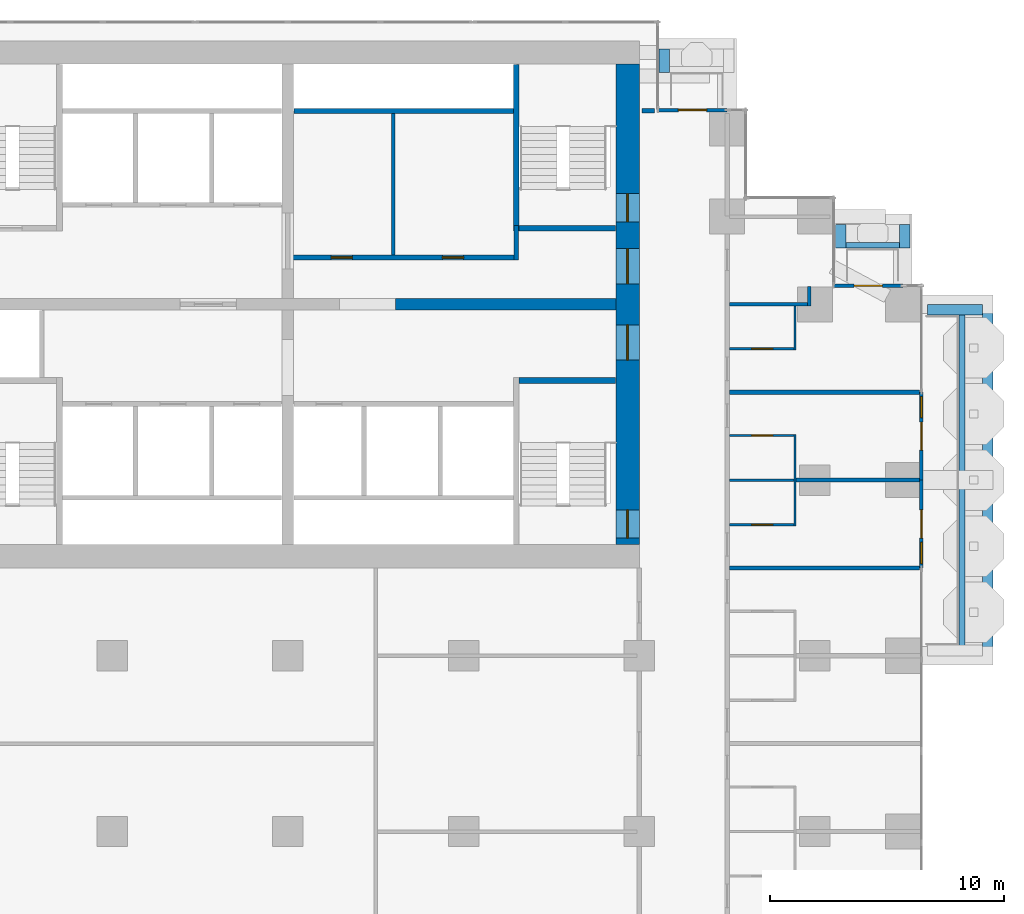
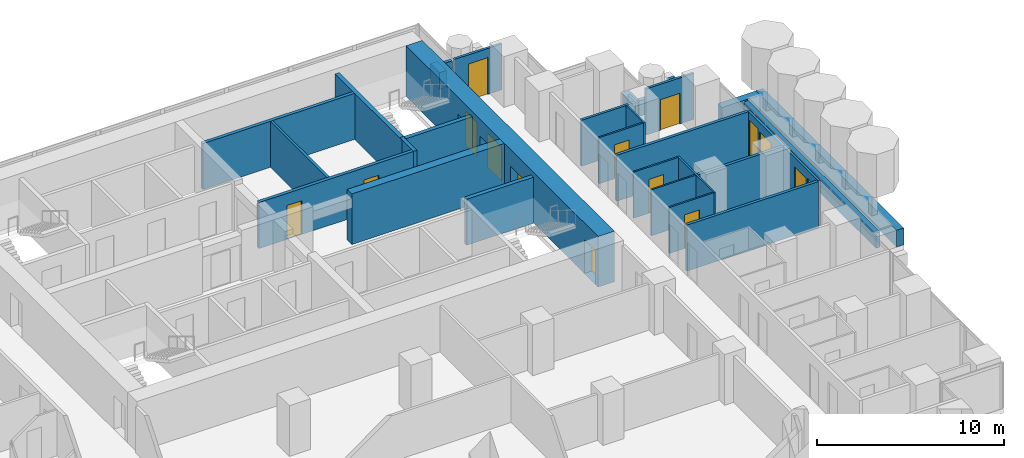
# One storey, part 15 of 19: 32 walls, 13 doors, 2 windows, 15 openings.
"""IFC4 building model written with IfcOpenShell, lengths in metres."""

from ifc_helpers import new_model, si_unit, direction, frame, frame_2d, origin, place, context, subcontext, project, spatial, rectangle, extrude, material, layer, layer_set, type_object, element, fill, save


model = new_model("IFC4")

# Units and contexts
model_context = context("Model", 3, precision=1e-05, world=origin(), true_north=direction((0.0, 1.0)))
body_context = subcontext(model_context, "Body", "Model", "MODEL_VIEW")
ifc_project = project(units=[si_unit("LENGTHUNIT", "METRE"), si_unit("AREAUNIT", "SQUARE_METRE"), si_unit("VOLUMEUNIT", "CUBIC_METRE"), si_unit("PLANEANGLEUNIT", "RADIAN"), si_unit("MASSUNIT", "GRAM", prefix="KILO")], contexts=[model_context])

# Site, building, storey
site_placement = place(None, origin())
site = spatial("IfcSite", under=ifc_project, at=site_placement, CompositionType="ELEMENT")
building_placement = place(site_placement, origin())
building = spatial("IfcBuilding", under=site, at=building_placement, Name="Pilkhan Gate Tower", CompositionType="ELEMENT")
storey_placement = place(building_placement, frame((0.0, 0.0, 59.300048828125)))
storey = spatial("IfcBuildingStorey", under=building, at=storey_placement, Name="L12", CompositionType="ELEMENT", Elevation=59.300048828125)

# Walls
ifc_material_1 = material(Name="Dense blockwork", Category="masonry")
ifc_layer_1 = layer(ifc_material_1, 0.175048828125)
ifc_layer_set_1 = layer_set([ifc_layer_1], Name="Acoustic party wall PW175")
wall_type_1 = type_object("IfcWallType", Name="Acoustic party wall PW175", PredefinedType="PARTITIONING", material=ifc_layer_set_1)
wall_1_placement = place(storey_placement, frame((93.85009765625, 71.25, 0.0), z_axis=(0.0, 0.0, 1.0), x_axis=(1.0, 0.0, 0.0)))
element("IfcWall", 1, at=wall_1_placement, inside=storey, type_object=wall_type_1, Name="Partition L12", PredefinedType="PARTITIONING", context=body_context, shape_type="SweptSolid", body=[
    extrude(rectangle(XDim=8.10986328125, YDim=0.175048828125, at=frame_2d((4.054931640625, 0.0))), origin(), (0.0, 0.0, 1.0), 3.0),
])
wall_2_placement = place(storey_placement, frame((96.699951171875, 75.0, 0.0), z_axis=(0.0, 0.0, 1.0), x_axis=(1.0, 0.0, 0.0)))
element("IfcWall", 2, at=wall_2_placement, inside=storey, type_object=wall_type_1, Name="Partition L12", PredefinedType="PARTITIONING", context=body_context, shape_type="SweptSolid", body=[
    extrude(rectangle(XDim=5.260009765625, YDim=0.175048828125, at=frame_2d((2.6298828125, 0.0))), origin(), (0.0, 0.0, 1.0), 3.0),
])
wall_3_placement = place(storey_placement, frame((93.85009765625, 78.75, 0.0), z_axis=(0.0, 0.0, 1.0), x_axis=(1.0, 0.0, 0.0)))
element("IfcWall", 3, at=wall_3_placement, inside=storey, type_object=wall_type_1, Name="Partition L12", PredefinedType="PARTITIONING", context=body_context, shape_type="SweptSolid", body=[
    extrude(rectangle(XDim=8.10986328125, YDim=0.175048828125, at=frame_2d((4.054931640625, 0.0))), origin(), (0.0, 0.0, 1.0), 3.0),
])
ifc_material_2 = material(Name="Concrete C40/50", Category="concrete")
ifc_layer_2 = layer(ifc_material_2, 0.25)
ifc_layer_set_2 = layer_set([ifc_layer_2], Name="Balcony planter BP250")
wall_type_2 = type_object("IfcWallType", Name="Balcony planter BP250", PredefinedType="USERDEFINED", material=ifc_layer_set_2)
wall_4_placement = place(storey_placement, frame((103.77490234375, 67.949951171875, 0.0), z_axis=(0.0, 0.0, 1.0), x_axis=(0.0, 1.0, 0.0)))
element("IfcWall", 4, at=wall_4_placement, inside=storey, type_object=wall_type_2, Name="Balcony planter L12 E", ObjectType="BALCONY PLANTER", PredefinedType="USERDEFINED", context=body_context, shape_type="SweptSolid", body=[
    extrude(rectangle(XDim=14.10009765625, YDim=0.25, at=frame_2d((7.050048828125, 0.0))), origin(), (0.0, 0.0, 1.0), 1.0),
])
wall_5_placement = place(storey_placement, frame((98.820068359375, 85.02490234375, 0.0), z_axis=(0.0, 0.0, 1.0), x_axis=(1.0, 0.0, 0.0)))
element("IfcWall", 5, at=wall_5_placement, inside=storey, type_object=wall_type_2, Name="Balcony planter L12 N", ObjectType="BALCONY PLANTER", PredefinedType="USERDEFINED", context=body_context, shape_type="SweptSolid", body=[
    extrude(rectangle(XDim=2.280029296875, YDim=0.25, at=frame_2d((1.14013671875, 0.0))), origin(), (0.0, 0.0, 1.0), 1.0),
])
ifc_material_3 = material(Name="Board-marked Concrete C40/50", Category="concrete")
ifc_layer_3 = layer(ifc_material_3, 0.449951171875)
ifc_layer_set_3 = layer_set([ifc_layer_3], Name="Balcony planter lip BL450")
wall_type_3 = type_object("IfcWallType", Name="Balcony planter lip BL450", PredefinedType="USERDEFINED", material=ifc_layer_set_3)
wall_6_placement = place(storey_placement, frame((104.875, 67.5, 0.0), z_axis=(0.0, 0.0, 1.0), x_axis=(0.0, 1.0, 0.0)))
element("IfcWall", 6, at=wall_6_placement, inside=storey, type_object=wall_type_3, Name="Balcony planter L12 E", ObjectType="BALCONY PLANTER", PredefinedType="USERDEFINED", context=body_context, shape_type="SweptSolid", body=[
    extrude(rectangle(XDim=15.0, YDim=0.449951171875, at=frame_2d((7.5, 0.0))), origin(), (0.0, 0.0, 1.0), 1.099853515625),
])
wall_7_placement = place(storey_placement, frame((102.300048828125, 82.27490234375, 0.0), z_axis=(0.0, 0.0, 1.0), x_axis=(1.0, 0.0, 0.0)))
element("IfcWall", 7, at=wall_7_placement, inside=storey, type_object=wall_type_3, Name="Balcony planter L12 E", ObjectType="BALCONY PLANTER", PredefinedType="USERDEFINED", context=body_context, shape_type="SweptSolid", body=[
    extrude(rectangle(XDim=2.349853515625, YDim=0.449951171875, at=frame_2d((1.1748046875, 0.0))), origin(), (0.0, 0.0, 1.0), 1.099853515625),
])
for number, where, z_axis, x_axis, name in (
    (8, (91.074951171875, 92.39990234375, 0.0), (0.0, 0.0, 1.0), (0.0, 1.0, 0.0), "Balcony planter L12 N"),
    (9, (98.594970703125, 84.89990234375, 0.0), (0.0, 0.0, 1.0), (0.0, 1.0, 0.0), "Balcony planter L12 N"),
    (10, (101.324951171875, 84.89990234375, 0.0), (0.0, 0.0, 1.0), (0.0, 1.0, 0.0), "Balcony planter L12 N"),
):
    element("IfcWall", number, at=place(storey_placement, frame(where, z_axis=z_axis, x_axis=x_axis)), inside=storey, type_object=wall_type_3, Name=name, ObjectType="BALCONY PLANTER", PredefinedType="USERDEFINED", context=body_context, shape_type="SweptSolid", body=[
        extrude(rectangle(XDim=1.0, YDim=0.449951171875, at=frame_2d((0.5, 0.0))), origin(), (0.0, 0.0, 1.0), 1.099853515625),
    ])

# Wall, openings, doors
ifc_material_4 = material(Name="Concrete C70/85", Category="concrete")
ifc_layer_4 = layer(ifc_material_4, 1.0)
ifc_layer_set_4 = layer_set([ifc_layer_4], Name="Core wall CW1000 C70/85")
wall_type_4 = type_object("IfcWallType", Name="Core wall CW1000 C70/85", PredefinedType="SHEAR", material=ifc_layer_set_4)
wall_8_placement = place(storey_placement, frame((89.5, 72.25, 0.0), z_axis=(0.0, 0.0, 1.0), x_axis=(0.0, 1.0, 0.0)))
wall_8 = element("IfcWall", 11, at=wall_8_placement, inside=storey, type_object=wall_type_4, Name="Core wall E L12", PredefinedType="SHEAR", context=body_context, shape_type="SweptSolid", body=[
    extrude(rectangle(XDim=20.5, YDim=1.0, at=frame_2d((10.25, 0.0))), origin(), (0.0, 0.0, 1.0), 3.300048828125),
])
opening_1_placement = place(wall_8_placement, frame((0.27490234375, 0.0, 0.0)))
opening_1 = element("IfcOpeningElement", 12, at=opening_1_placement, cuts=wall_8, Name="Opening L12-03", PredefinedType="OPENING", context=body_context, shape_type="SweptSolid", body=[
    extrude(rectangle(XDim=1.199951171875, YDim=2.199951171875, at=frame_2d((0.60009765625, 1.10009765625))), frame((0.0, 0.510009765625, 0.0), z_axis=(0.0, -1.0, 0.0), x_axis=(1.0, 0.0, 0.0)), (0.0, 0.0, 1.0), 1.02001953125),
])
opening_2_placement = place(wall_8_placement, frame((13.77490234375, 0.0, 0.0)))
opening_2 = element("IfcOpeningElement", 13, at=opening_2_placement, cuts=wall_8, Name="Opening L12-05", PredefinedType="OPENING", context=body_context, shape_type="SweptSolid", body=[
    extrude(rectangle(XDim=1.199951171875, YDim=2.199951171875, at=frame_2d((0.60009765625, 1.10009765625))), frame((0.0, 0.510009765625, 0.0), z_axis=(0.0, -1.0, 0.0), x_axis=(1.0, 0.0, 0.0)), (0.0, 0.0, 1.0), 1.02001953125),
])
opening_3_placement = place(wall_8_placement, frame((7.875, 0.0, 0.0)))
opening_3 = element("IfcOpeningElement", 14, at=opening_3_placement, cuts=wall_8, Name="Opening L12-44", PredefinedType="OPENING", context=body_context, shape_type="SweptSolid", body=[
    extrude(rectangle(XDim=1.5, YDim=2.199951171875, at=frame_2d((0.75, 1.10009765625))), frame((0.0, 0.510009765625, 0.0), z_axis=(0.0, -1.0, 0.0), x_axis=(1.0, 0.0, 0.0)), (0.0, 0.0, 1.0), 1.02001953125),
])
opening_4_placement = place(wall_8_placement, frame((11.125, 0.0, 0.0)))
opening_4 = element("IfcOpeningElement", 15, at=opening_4_placement, cuts=wall_8, Name="Opening L12-46", PredefinedType="OPENING", context=body_context, shape_type="SweptSolid", body=[
    extrude(rectangle(XDim=1.5, YDim=2.199951171875, at=frame_2d((0.75, 1.10009765625))), frame((0.0, 0.510009765625, 0.0), z_axis=(0.0, -1.0, 0.0), x_axis=(1.0, 0.0, 0.0)), (0.0, 0.0, 1.0), 1.02001953125),
])
ifc_material_5 = material(Name="Steel framed glazed door, 60 minute fire resisting", Category="steel")
door_type_1 = type_object("IfcDoorType", Name="Lobby door D09 1500x2200", OperationType="DOUBLE_DOOR_SINGLE_SWING", PredefinedType="DOOR", material=ifc_material_5)
door_1_placement = place(opening_3_placement, origin())
door_1 = element("IfcDoor", 16, at=door_1_placement, inside=storey, type_object=door_type_1, Name="Core door", OperationType="DOUBLE_DOOR_SINGLE_SWING", OverallHeight=2.199951171875, OverallWidth=1.5, PredefinedType="DOOR", context=body_context, shape_type="SweptSolid", body=[
    extrude(rectangle(XDim=1.5, YDim=2.199951171875, at=frame_2d((0.75, 1.10009765625))), frame((0.0, 0.02490234375, 0.0), z_axis=(0.0, -1.0, 0.0), x_axis=(1.0, 0.0, 0.0)), (0.0, 0.0, 1.0), 0.050048828125),
])
fill(opening_3, door_1)
door_2_placement = place(opening_4_placement, origin())
door_2 = element("IfcDoor", 17, at=door_2_placement, inside=storey, type_object=door_type_1, Name="Core door", OperationType="DOUBLE_DOOR_SINGLE_SWING", OverallHeight=2.199951171875, OverallWidth=1.5, PredefinedType="DOOR", context=body_context, shape_type="SweptSolid", body=[
    extrude(rectangle(XDim=1.5, YDim=2.199951171875, at=frame_2d((0.75, 1.10009765625))), frame((0.0, 0.02490234375, 0.0), z_axis=(0.0, -1.0, 0.0), x_axis=(1.0, 0.0, 0.0)), (0.0, 0.0, 1.0), 0.050048828125),
])
fill(opening_4, door_2)
ifc_material_6 = material(Name="Steel door, 120 minute fire resisting, panic bar", Category="steel")
door_type_2 = type_object("IfcDoorType", Name="Stair door D11 1200x2200", OperationType="SINGLE_SWING_LEFT", PredefinedType="DOOR", material=ifc_material_6)
door_3_placement = place(opening_1_placement, origin())
door_3 = element("IfcDoor", 18, at=door_3_placement, inside=storey, type_object=door_type_2, Name="Stair ST1 door", OperationType="SINGLE_SWING_LEFT", OverallHeight=2.199951171875, OverallWidth=1.199951171875, PredefinedType="DOOR", context=body_context, shape_type="SweptSolid", body=[
    extrude(rectangle(XDim=1.199951171875, YDim=2.199951171875, at=frame_2d((0.60009765625, 1.10009765625))), frame((0.0, 0.02490234375, 0.0), z_axis=(0.0, -1.0, 0.0), x_axis=(1.0, 0.0, 0.0)), (0.0, 0.0, 1.0), 0.050048828125),
])
fill(opening_1, door_3)
door_4_placement = place(opening_2_placement, origin())
door_4 = element("IfcDoor", 19, at=door_4_placement, inside=storey, type_object=door_type_2, Name="Stair ST4 door", OperationType="SINGLE_SWING_LEFT", OverallHeight=2.199951171875, OverallWidth=1.199951171875, PredefinedType="DOOR", context=body_context, shape_type="SweptSolid", body=[
    extrude(rectangle(XDim=1.199951171875, YDim=2.199951171875, at=frame_2d((0.60009765625, 1.10009765625))), frame((0.0, 0.02490234375, 0.0), z_axis=(0.0, -1.0, 0.0), x_axis=(1.0, 0.0, 0.0)), (0.0, 0.0, 1.0), 0.050048828125),
])
fill(opening_2, door_4)

# Wall
ifc_layer_5 = layer(ifc_material_1, 0.199951171875)
ifc_layer_set_5 = layer_set([ifc_layer_5], Name="Corridor wall FW200")
wall_type_5 = type_object("IfcWallType", Name="Corridor wall FW200", PredefinedType="PARTITIONING", material=ifc_layer_set_5)
wall_9_placement = place(storey_placement, frame((90.1201171875, 90.764892578125, 0.0), z_axis=(0.0, 0.0, 1.0), x_axis=(1.0, 0.0, 0.0)))
element("IfcWall", 20, at=wall_9_placement, inside=storey, type_object=wall_type_5, Name="Partition L12", PredefinedType="PARTITIONING", context=body_context, shape_type="SweptSolid", body=[
    extrude(rectangle(XDim=0.52490234375, YDim=0.199951171875, at=frame_2d((0.262451171875, 0.0))), origin(), (0.0, 0.0, 1.0), 3.0),
])

# Wall, openings, door, window
ifc_material_7 = material(Name="Pale anodised aluminium, clear laminated glazing", Category="aluminium")
ifc_layer_6 = layer(ifc_material_7, 0.14990234375)
ifc_layer_set_6 = layer_set([ifc_layer_6], Name="Facade infill wall IW150")
wall_type_6 = type_object("IfcWallType", Name="Facade infill wall IW150", PredefinedType="SOLIDWALL", material=ifc_layer_set_6)
wall_10_placement = place(storey_placement, frame((102.044921875, 71.25, 0.0), z_axis=(0.0, 0.0, 1.0), x_axis=(0.0, 1.0, 0.0)))
wall_10 = element("IfcWall", 21, at=wall_10_placement, inside=storey, type_object=wall_type_6, Name="Infill wall L12 E", PredefinedType="SOLIDWALL", context=body_context, shape_type="SweptSolid", body=[
    extrude(rectangle(XDim=3.75, YDim=0.14990234375, at=frame_2d((1.875, 0.0))), origin(), (0.0, 0.0, 1.0), 3.0),
])
opening_5_placement = place(wall_10_placement, frame((0.1875, 0.0, 0.10009765625)))
opening_5 = element("IfcOpeningElement", 22, at=opening_5_placement, cuts=wall_10, Name="Opening W1", PredefinedType="OPENING", context=body_context, shape_type="SweptSolid", body=[
    extrude(rectangle(XDim=0.89990234375, YDim=2.39990234375, at=frame_2d((0.449951171875, 1.199951171875))), frame((0.0, 0.0849609375, 0.0), z_axis=(0.0, -1.0, 0.0), x_axis=(1.0, 0.0, 0.0)), (0.0, 0.0, 1.0), 0.169921875),
])
opening_6_placement = place(wall_10_placement, frame((1.27490234375, 0.0, 0.0)))
opening_6 = element("IfcOpeningElement", 23, at=opening_6_placement, cuts=wall_10, Name="Opening D1", PredefinedType="OPENING", context=body_context, shape_type="SweptSolid", body=[
    extrude(rectangle(XDim=1.199951171875, YDim=2.39990234375, at=frame_2d((0.60009765625, 1.199951171875))), frame((0.0, 0.0849609375, 0.0), z_axis=(0.0, -1.0, 0.0), x_axis=(1.0, 0.0, 0.0)), (0.0, 0.0, 1.0), 0.169921875),
])
ifc_material_8 = material(Name="Pale anodised aluminium, clear glazing", Category="aluminium")
door_type_3 = type_object("IfcDoorType", Name="Balcony door D1 1200x2400", OperationType="SINGLE_SWING_LEFT", PredefinedType="DOOR", material=ifc_material_8)
door_5_placement = place(opening_6_placement, origin())
door_5 = element("IfcDoor", 24, at=door_5_placement, inside=storey, type_object=door_type_3, Name="Balcony door L12", OperationType="SINGLE_SWING_LEFT", OverallHeight=2.39990234375, OverallWidth=1.199951171875, PredefinedType="DOOR", context=body_context, shape_type="SweptSolid", body=[
    extrude(rectangle(XDim=1.199951171875, YDim=2.39990234375, at=frame_2d((0.60009765625, 1.199951171875))), frame((0.0, 0.02490234375, 0.0), z_axis=(0.0, -1.0, 0.0), x_axis=(1.0, 0.0, 0.0)), (0.0, 0.0, 1.0), 0.050048828125),
])
fill(opening_6, door_5)
ifc_material_9 = material(Name="Pale anodised aluminium, clear double glazing", Category="aluminium")
window_type = type_object("IfcWindowType", Name="Window W1 900x2400", PartitioningType="SINGLE_PANEL", PredefinedType="WINDOW", material=ifc_material_9)
window_1_placement = place(opening_5_placement, origin())
window_1 = element("IfcWindow", 25, at=window_1_placement, inside=storey, type_object=window_type, Name="Window L12", OverallHeight=2.39990234375, OverallWidth=0.89990234375, PartitioningType="SINGLE_PANEL", PredefinedType="WINDOW", context=body_context, shape_type="SweptSolid", body=[
    extrude(rectangle(XDim=0.89990234375, YDim=2.39990234375, at=frame_2d((0.449951171875, 1.199951171875))), frame((0.0, 0.030029296875, 0.0), z_axis=(0.0, -1.0, 0.0), x_axis=(1.0, 0.0, 0.0)), (0.0, 0.0, 1.0), 0.06005859375),
])
fill(opening_5, window_1)

wall_11_placement = place(storey_placement, frame((102.044921875, 75.0, 0.0), z_axis=(0.0, 0.0, 1.0), x_axis=(0.0, 1.0, 0.0)))
wall_11 = element("IfcWall", 26, at=wall_11_placement, inside=storey, type_object=wall_type_6, Name="Infill wall L12 E", PredefinedType="SOLIDWALL", context=body_context, shape_type="SweptSolid", body=[
    extrude(rectangle(XDim=3.75, YDim=0.14990234375, at=frame_2d((1.875, 0.0))), origin(), (0.0, 0.0, 1.0), 3.0),
])
opening_7_placement = place(wall_11_placement, frame((1.27490234375, 0.0, 0.0)))
opening_7 = element("IfcOpeningElement", 27, at=opening_7_placement, cuts=wall_11, Name="Opening D1", PredefinedType="OPENING", context=body_context, shape_type="SweptSolid", body=[
    extrude(rectangle(XDim=1.199951171875, YDim=2.39990234375, at=frame_2d((0.60009765625, 1.199951171875))), frame((0.0, 0.0849609375, 0.0), z_axis=(0.0, -1.0, 0.0), x_axis=(1.0, 0.0, 0.0)), (0.0, 0.0, 1.0), 0.169921875),
])
opening_8_placement = place(wall_11_placement, frame((2.66259765625, 0.0, 0.10009765625)))
opening_8 = element("IfcOpeningElement", 28, at=opening_8_placement, cuts=wall_11, Name="Opening W1", PredefinedType="OPENING", context=body_context, shape_type="SweptSolid", body=[
    extrude(rectangle(XDim=0.89990234375, YDim=2.39990234375, at=frame_2d((0.449951171875, 1.199951171875))), frame((0.0, 0.0849609375, 0.0), z_axis=(0.0, -1.0, 0.0), x_axis=(1.0, 0.0, 0.0)), (0.0, 0.0, 1.0), 0.169921875),
])
door_6_placement = place(opening_7_placement, origin())
door_6 = element("IfcDoor", 29, at=door_6_placement, inside=storey, type_object=door_type_3, Name="Balcony door L12", OperationType="SINGLE_SWING_LEFT", OverallHeight=2.39990234375, OverallWidth=1.199951171875, PredefinedType="DOOR", context=body_context, shape_type="SweptSolid", body=[
    extrude(rectangle(XDim=1.199951171875, YDim=2.39990234375, at=frame_2d((0.60009765625, 1.199951171875))), frame((0.0, 0.02490234375, 0.0), z_axis=(0.0, -1.0, 0.0), x_axis=(1.0, 0.0, 0.0)), (0.0, 0.0, 1.0), 0.050048828125),
])
fill(opening_7, door_6)
window_2_placement = place(opening_8_placement, origin())
window_2 = element("IfcWindow", 30, at=window_2_placement, inside=storey, type_object=window_type, Name="Window L12", OverallHeight=2.39990234375, OverallWidth=0.89990234375, PartitioningType="SINGLE_PANEL", PredefinedType="WINDOW", context=body_context, shape_type="SweptSolid", body=[
    extrude(rectangle(XDim=0.89990234375, YDim=2.39990234375, at=frame_2d((0.449951171875, 1.199951171875))), frame((0.0, 0.030029296875, 0.0), z_axis=(0.0, -1.0, 0.0), x_axis=(1.0, 0.0, 0.0)), (0.0, 0.0, 1.0), 0.06005859375),
])
fill(opening_8, window_2)

# Wall, opening, door
wall_12_placement = place(storey_placement, frame((98.294921875, 83.294921875, 0.0), z_axis=(0.0, 0.0, 1.0), x_axis=(1.0, 0.0, 0.0)))
wall_12 = element("IfcWall", 31, at=wall_12_placement, inside=storey, type_object=wall_type_6, Name="Infill wall L12 N", PredefinedType="SOLIDWALL", context=body_context, shape_type="SweptSolid", body=[
    extrude(rectangle(XDim=2.955078125, YDim=0.14990234375, at=frame_2d((1.4775390625, 0.0))), origin(), (0.0, 0.0, 1.0), 3.0),
])
opening_9_placement = place(wall_12_placement, frame((0.87744140625, 0.0, 0.0)))
opening_9 = element("IfcOpeningElement", 32, at=opening_9_placement, cuts=wall_12, Name="Opening D1L", PredefinedType="OPENING", context=body_context, shape_type="SweptSolid", body=[
    extrude(rectangle(XDim=1.199951171875, YDim=2.0, at=frame_2d((0.60009765625, 1.0))), frame((0.0, 0.0849609375, 0.0), z_axis=(0.0, -1.0, 0.0), x_axis=(1.0, 0.0, 0.0)), (0.0, 0.0, 1.0), 0.169921875),
])
door_type_4 = type_object("IfcDoorType", Name="Balcony door D1L 1200x2000", OperationType="SINGLE_SWING_LEFT", PredefinedType="DOOR", material=ifc_material_8)
door_7_placement = place(opening_9_placement, origin())
door_7 = element("IfcDoor", 33, at=door_7_placement, inside=storey, type_object=door_type_4, Name="Balcony door L12", OperationType="SINGLE_SWING_LEFT", OverallHeight=2.0, OverallWidth=1.199951171875, PredefinedType="DOOR", context=body_context, shape_type="SweptSolid", body=[
    extrude(rectangle(XDim=1.199951171875, YDim=2.0, at=frame_2d((0.60009765625, 1.0))), frame((0.0, 0.02490234375, 0.0), z_axis=(0.0, -1.0, 0.0), x_axis=(1.0, 0.0, 0.0)), (0.0, 0.0, 1.0), 0.050048828125),
])
fill(opening_9, door_7)

wall_13_placement = place(storey_placement, frame((90.794921875, 90.794921875, 0.0), z_axis=(0.0, 0.0, 1.0), x_axis=(1.0, 0.0, 0.0)))
wall_13 = element("IfcWall", 34, at=wall_13_placement, inside=storey, type_object=wall_type_6, Name="Infill wall L12 N", PredefinedType="SOLIDWALL", context=body_context, shape_type="SweptSolid", body=[
    extrude(rectangle(XDim=2.955078125, YDim=0.14990234375, at=frame_2d((1.4775390625, 0.0))), origin(), (0.0, 0.0, 1.0), 3.0),
])
opening_10_placement = place(wall_13_placement, frame((0.87744140625, 0.0, 0.0)))
opening_10 = element("IfcOpeningElement", 35, at=opening_10_placement, cuts=wall_13, Name="Opening D1", PredefinedType="OPENING", context=body_context, shape_type="SweptSolid", body=[
    extrude(rectangle(XDim=1.199951171875, YDim=2.39990234375, at=frame_2d((0.60009765625, 1.199951171875))), frame((0.0, 0.0849609375, 0.0), z_axis=(0.0, -1.0, 0.0), x_axis=(1.0, 0.0, 0.0)), (0.0, 0.0, 1.0), 0.169921875),
])
door_8_placement = place(opening_10_placement, origin())
door_8 = element("IfcDoor", 36, at=door_8_placement, inside=storey, type_object=door_type_3, Name="Balcony door L12", OperationType="SINGLE_SWING_LEFT", OverallHeight=2.39990234375, OverallWidth=1.199951171875, PredefinedType="DOOR", context=body_context, shape_type="SweptSolid", body=[
    extrude(rectangle(XDim=1.199951171875, YDim=2.39990234375, at=frame_2d((0.60009765625, 1.199951171875))), frame((0.0, 0.02490234375, 0.0), z_axis=(0.0, -1.0, 0.0), x_axis=(1.0, 0.0, 0.0)), (0.0, 0.0, 1.0), 0.050048828125),
])
fill(opening_10, door_8)

# Wall, openings, doors
ifc_layer_7 = layer(ifc_material_1, 0.199951171875)
ifc_layer_set_7 = layer_set([ifc_layer_7], Name="Lobby wall LW200")
wall_type_7 = type_object("IfcWallType", Name="Lobby wall LW200", PredefinedType="PARTITIONING", material=ifc_layer_set_7)
wall_14_placement = place(storey_placement, frame((75.10009765625, 84.5, 0.0), z_axis=(0.0, 0.0, 1.0), x_axis=(1.0, 0.0, 0.0)))
wall_14 = element("IfcWall", 37, at=wall_14_placement, inside=storey, type_object=wall_type_7, Name="Partition L12", PredefinedType="PARTITIONING", context=body_context, shape_type="SweptSolid", body=[
    extrude(rectangle(XDim=9.5498046875, YDim=0.199951171875, at=frame_2d((4.77490234375, 0.0))), origin(), (0.0, 0.0, 1.0), 3.0),
])
opening_11_placement = place(wall_14_placement, frame((1.75, 0.0, 0.0)))
opening_11 = element("IfcOpeningElement", 38, at=opening_11_placement, cuts=wall_14, Name="Opening L12-47", PredefinedType="OPENING", context=body_context, shape_type="SweptSolid", body=[
    extrude(rectangle(XDim=0.89990234375, YDim=2.199951171875, at=frame_2d((0.449951171875, 1.10009765625))), frame((0.0, 0.10986328125, 0.0), z_axis=(0.0, -1.0, 0.0), x_axis=(1.0, 0.0, 0.0)), (0.0, 0.0, 1.0), 0.219970703125),
])
opening_12_placement = place(wall_14_placement, frame((6.5, 0.0, 0.0)))
opening_12 = element("IfcOpeningElement", 39, at=opening_12_placement, cuts=wall_14, Name="Opening L12-48", PredefinedType="OPENING", context=body_context, shape_type="SweptSolid", body=[
    extrude(rectangle(XDim=0.89990234375, YDim=2.199951171875, at=frame_2d((0.449951171875, 1.10009765625))), frame((0.0, 0.10986328125, 0.0), z_axis=(0.0, -1.0, 0.0), x_axis=(1.0, 0.0, 0.0)), (0.0, 0.0, 1.0), 0.219970703125),
])
ifc_material_10 = material(Name="Timber flush door, 60 minute fire resisting, self-closing", Category="wood")
door_type_5 = type_object("IfcDoorType", Name="Store door D05 900x2200", OperationType="SINGLE_SWING_LEFT", PredefinedType="DOOR", material=ifc_material_10)
door_9_placement = place(opening_11_placement, origin())
door_9 = element("IfcDoor", 40, at=door_9_placement, inside=storey, type_object=door_type_5, Name="Store door", OperationType="SINGLE_SWING_RIGHT", OverallHeight=2.199951171875, OverallWidth=0.89990234375, PredefinedType="DOOR", context=body_context, shape_type="SweptSolid", body=[
    extrude(rectangle(XDim=0.89990234375, YDim=2.199951171875, at=frame_2d((0.449951171875, 1.10009765625))), frame((0.0, 0.02490234375, 0.0), z_axis=(0.0, -1.0, 0.0), x_axis=(1.0, 0.0, 0.0)), (0.0, 0.0, 1.0), 0.050048828125),
])
fill(opening_11, door_9)
door_10_placement = place(opening_12_placement, origin())
door_10 = element("IfcDoor", 41, at=door_10_placement, inside=storey, type_object=door_type_5, Name="Store door", OperationType="SINGLE_SWING_RIGHT", OverallHeight=2.199951171875, OverallWidth=0.89990234375, PredefinedType="DOOR", context=body_context, shape_type="SweptSolid", body=[
    extrude(rectangle(XDim=0.89990234375, YDim=2.199951171875, at=frame_2d((0.449951171875, 1.10009765625))), frame((0.0, 0.02490234375, 0.0), z_axis=(0.0, -1.0, 0.0), x_axis=(1.0, 0.0, 0.0)), (0.0, 0.0, 1.0), 0.050048828125),
])
fill(opening_12, door_10)

# Walls
wall_15_placement = place(storey_placement, frame((75.260009765625, 90.75, 0.0), z_axis=(0.0, 0.0, 1.0), x_axis=(1.0, 0.0, 0.0)))
element("IfcWall", 42, at=wall_15_placement, inside=storey, type_object=wall_type_7, Name="Partition L12", PredefinedType="PARTITIONING", context=body_context, shape_type="SweptSolid", body=[
    extrude(rectangle(XDim=9.364990234375, YDim=0.199951171875, at=frame_2d((4.6826171875, 0.0))), origin(), (0.0, 0.0, 1.0), 3.0),
])
wall_16_placement = place(storey_placement, frame((84.75, 84.39990234375, 0.0), z_axis=(0.0, 0.0, 1.0), x_axis=(0.0, 1.0, 0.0)))
element("IfcWall", 43, at=wall_16_placement, inside=storey, type_object=wall_type_7, Name="Partition L12", PredefinedType="PARTITIONING", context=body_context, shape_type="SweptSolid", body=[
    extrude(rectangle(XDim=1.47509765625, YDim=0.199951171875, at=frame_2d((0.737548828125, 0.0))), origin(), (0.0, 0.0, 1.0), 3.0),
])
ifc_material_11 = material(Name="Blockwork partition, plastered both sides", Category="masonry")
ifc_layer_8 = layer(ifc_material_11, 0.14990234375)
ifc_layer_set_8 = layer_set([ifc_layer_8], Name="Partition PW150")
wall_type_8 = type_object("IfcWallType", Name="Partition PW150", PredefinedType="PARTITIONING", material=ifc_layer_set_8)
wall_17_placement = place(storey_placement, frame((93.85009765625, 82.5, 0.0), z_axis=(0.0, 0.0, 1.0), x_axis=(1.0, 0.0, 0.0)))
element("IfcWall", 44, at=wall_17_placement, inside=storey, type_object=wall_type_8, Name="Partition L12", PredefinedType="PARTITIONING", context=body_context, shape_type="SweptSolid", body=[
    extrude(rectangle(XDim=3.33984375, YDim=0.14990234375, at=frame_2d((1.669921875, 0.0))), origin(), (0.0, 0.0, 1.0), 3.0),
])
wall_18_placement = place(storey_placement, frame((79.5, 84.60009765625, 0.0), z_axis=(0.0, 0.0, 1.0), x_axis=(0.0, 1.0, 0.0)))
element("IfcWall", 45, at=wall_18_placement, inside=storey, type_object=wall_type_8, Name="Partition L12", PredefinedType="PARTITIONING", context=body_context, shape_type="SweptSolid", body=[
    extrude(rectangle(XDim=6.0498046875, YDim=0.14990234375, at=frame_2d((3.02490234375, 0.0))), origin(), (0.0, 0.0, 1.0), 3.0),
])
wall_19_placement = place(storey_placement, frame((97.264892578125, 82.425048828125, 0.0), z_axis=(0.0, 0.0, 1.0), x_axis=(0.0, 1.0, 0.0)))
element("IfcWall", 46, at=wall_19_placement, inside=storey, type_object=wall_type_8, Name="Partition L12", PredefinedType="PARTITIONING", context=body_context, shape_type="SweptSolid", body=[
    extrude(rectangle(XDim=0.83984375, YDim=0.14990234375, at=frame_2d((0.419921875, 0.0))), origin(), (0.0, 0.0, 1.0), 3.0),
])
ifc_layer_9 = layer(ifc_material_4, 0.5)
ifc_layer_set_9 = layer_set([ifc_layer_9], Name="Spine wall SW500 C70/85")
wall_type_9 = type_object("IfcWallType", Name="Spine wall SW500 C70/85", PredefinedType="SHEAR", material=ifc_layer_set_9)
wall_20_placement = place(storey_placement, frame((79.60009765625, 82.5, 0.0), z_axis=(0.0, 0.0, 1.0), x_axis=(1.0, 0.0, 0.0)))
element("IfcWall", 47, at=wall_20_placement, inside=storey, type_object=wall_type_9, Name="Spine wall SP-EW3 L12", PredefinedType="SHEAR", context=body_context, shape_type="SweptSolid", body=[
    extrude(rectangle(XDim=9.39990234375, YDim=0.5, at=frame_2d((4.699951171875, 0.0))), origin(), (0.0, 0.0, 1.0), 3.300048828125),
])
ifc_material_12 = material(Name="Reinforced blockwork, 120 minute fire resisting", Category="masonry")
ifc_layer_10 = layer(ifc_material_12, 0.25)
ifc_layer_set_10 = layer_set([ifc_layer_10], Name="Stair enclosure wall SE250")
wall_type_10 = type_object("IfcWallType", Name="Stair enclosure wall SE250", PredefinedType="PARTITIONING", material=ifc_layer_set_10)
for number, where, z_axis, x_axis, name in (
    (48, (84.875, 79.25, 0.0), (0.0, 0.0, 1.0), (1.0, 0.0, 0.0), "Partition L12"),
    (49, (84.875, 85.75, 0.0), (0.0, 0.0, 1.0), (1.0, 0.0, 0.0), "Partition L12"),
):
    element("IfcWall", number, at=place(storey_placement, frame(where, z_axis=z_axis, x_axis=x_axis)), inside=storey, type_object=wall_type_10, Name=name, PredefinedType="PARTITIONING", context=body_context, shape_type="SweptSolid", body=[
        extrude(rectangle(XDim=4.114990234375, YDim=0.25, at=frame_2d((2.0576171875, 0.0))), origin(), (0.0, 0.0, 1.0), 3.0),
    ])
wall_21_placement = place(storey_placement, frame((84.75, 85.625, 0.0), z_axis=(0.0, 0.0, 1.0), x_axis=(0.0, 1.0, 0.0)))
element("IfcWall", 50, at=wall_21_placement, inside=storey, type_object=wall_type_10, Name="Partition L12", PredefinedType="PARTITIONING", context=body_context, shape_type="SweptSolid", body=[
    extrude(rectangle(XDim=7.114990234375, YDim=0.25, at=frame_2d((3.5576171875, 0.0))), origin(), (0.0, 0.0, 1.0), 3.0),
])

# Wall, opening, door
ifc_material_13 = material(Name="Moisture resistant board, tiled")
ifc_layer_11 = layer(ifc_material_13, 0.10009765625)
ifc_layer_set_11 = layer_set([ifc_layer_11], Name="Wet wall PW100")
wall_type_11 = type_object("IfcWallType", Name="Wet wall PW100", PredefinedType="PARTITIONING", material=ifc_layer_set_11)
wall_22_placement = place(storey_placement, frame((93.85009765625, 73.10009765625, 0.0), z_axis=(0.0, 0.0, 1.0), x_axis=(1.0, 0.0, 0.0)))
wall_22 = element("IfcWall", 51, at=wall_22_placement, inside=storey, type_object=wall_type_11, Name="Partition L12", PredefinedType="PARTITIONING", context=body_context, shape_type="SweptSolid", body=[
    extrude(rectangle(XDim=2.75, YDim=0.10009765625, at=frame_2d((1.375, 0.0))), origin(), (0.0, 0.0, 1.0), 3.0),
])
opening_13_placement = place(wall_22_placement, frame((0.949951171875, 0.0, 0.0)))
opening_13 = element("IfcOpeningElement", 52, at=opening_13_placement, cuts=wall_22, Name="Opening L12-39", PredefinedType="OPENING", context=body_context, shape_type="SweptSolid", body=[
    extrude(rectangle(XDim=0.89990234375, YDim=2.199951171875, at=frame_2d((0.449951171875, 1.10009765625))), frame((0.0, 0.06005859375, 0.0), z_axis=(0.0, -1.0, 0.0), x_axis=(1.0, 0.0, 0.0)), (0.0, 0.0, 1.0), 0.1201171875),
])
ifc_material_14 = material(Name="Timber flush door", Category="wood")
door_type_6 = type_object("IfcDoorType", Name="Bathroom door D02 900x2200", OperationType="SINGLE_SWING_RIGHT", PredefinedType="DOOR", material=ifc_material_14)
door_11_placement = place(opening_13_placement, origin())
door_11 = element("IfcDoor", 53, at=door_11_placement, inside=storey, type_object=door_type_6, Name="Bathroom door", OperationType="SINGLE_SWING_RIGHT", OverallHeight=2.199951171875, OverallWidth=0.89990234375, PredefinedType="DOOR", context=body_context, shape_type="SweptSolid", body=[
    extrude(rectangle(XDim=0.89990234375, YDim=2.199951171875, at=frame_2d((0.449951171875, 1.10009765625))), frame((0.0, 0.02490234375, 0.0), z_axis=(0.0, -1.0, 0.0), x_axis=(1.0, 0.0, 0.0)), (0.0, 0.0, 1.0), 0.050048828125),
])
fill(opening_13, door_11)

# Wall
wall_23_placement = place(storey_placement, frame((93.85009765625, 75.0, 0.0), z_axis=(0.0, 0.0, 1.0), x_axis=(1.0, 0.0, 0.0)))
element("IfcWall", 54, at=wall_23_placement, inside=storey, type_object=wall_type_11, Name="Partition L12", PredefinedType="PARTITIONING", context=body_context, shape_type="SweptSolid", body=[
    extrude(rectangle(XDim=2.75, YDim=0.10009765625, at=frame_2d((1.375, 0.0))), origin(), (0.0, 0.0, 1.0), 3.0),
])

# Wall, opening, door
wall_24_placement = place(storey_placement, frame((93.85009765625, 76.89990234375, 0.0), z_axis=(0.0, 0.0, 1.0), x_axis=(1.0, 0.0, 0.0)))
wall_24 = element("IfcWall", 55, at=wall_24_placement, inside=storey, type_object=wall_type_11, Name="Partition L12", PredefinedType="PARTITIONING", context=body_context, shape_type="SweptSolid", body=[
    extrude(rectangle(XDim=2.75, YDim=0.10009765625, at=frame_2d((1.375, 0.0))), origin(), (0.0, 0.0, 1.0), 3.0),
])
opening_14_placement = place(wall_24_placement, frame((0.949951171875, 0.0, 0.0)))
opening_14 = element("IfcOpeningElement", 56, at=opening_14_placement, cuts=wall_24, Name="Opening L12-41", PredefinedType="OPENING", context=body_context, shape_type="SweptSolid", body=[
    extrude(rectangle(XDim=0.89990234375, YDim=2.199951171875, at=frame_2d((0.449951171875, 1.10009765625))), frame((0.0, 0.06005859375, 0.0), z_axis=(0.0, -1.0, 0.0), x_axis=(1.0, 0.0, 0.0)), (0.0, 0.0, 1.0), 0.1201171875),
])
door_12_placement = place(opening_14_placement, origin())
door_12 = element("IfcDoor", 57, at=door_12_placement, inside=storey, type_object=door_type_6, Name="Bathroom door", OperationType="SINGLE_SWING_RIGHT", OverallHeight=2.199951171875, OverallWidth=0.89990234375, PredefinedType="DOOR", context=body_context, shape_type="SweptSolid", body=[
    extrude(rectangle(XDim=0.89990234375, YDim=2.199951171875, at=frame_2d((0.449951171875, 1.10009765625))), frame((0.0, 0.02490234375, 0.0), z_axis=(0.0, -1.0, 0.0), x_axis=(1.0, 0.0, 0.0)), (0.0, 0.0, 1.0), 0.050048828125),
])
fill(opening_14, door_12)

wall_25_placement = place(storey_placement, frame((93.85009765625, 80.60009765625, 0.0), z_axis=(0.0, 0.0, 1.0), x_axis=(1.0, 0.0, 0.0)))
wall_25 = element("IfcWall", 58, at=wall_25_placement, inside=storey, type_object=wall_type_11, Name="Partition L12", PredefinedType="PARTITIONING", context=body_context, shape_type="SweptSolid", body=[
    extrude(rectangle(XDim=2.75, YDim=0.10009765625, at=frame_2d((1.375, 0.0))), origin(), (0.0, 0.0, 1.0), 3.0),
])
opening_15_placement = place(wall_25_placement, frame((0.949951171875, 0.0, 0.0)))
opening_15 = element("IfcOpeningElement", 59, at=opening_15_placement, cuts=wall_25, Name="Opening L12-43", PredefinedType="OPENING", context=body_context, shape_type="SweptSolid", body=[
    extrude(rectangle(XDim=0.89990234375, YDim=2.199951171875, at=frame_2d((0.449951171875, 1.10009765625))), frame((0.0, 0.06005859375, 0.0), z_axis=(0.0, -1.0, 0.0), x_axis=(1.0, 0.0, 0.0)), (0.0, 0.0, 1.0), 0.1201171875),
])
door_13_placement = place(opening_15_placement, origin())
door_13 = element("IfcDoor", 60, at=door_13_placement, inside=storey, type_object=door_type_6, Name="Bathroom door", OperationType="SINGLE_SWING_RIGHT", OverallHeight=2.199951171875, OverallWidth=0.89990234375, PredefinedType="DOOR", context=body_context, shape_type="SweptSolid", body=[
    extrude(rectangle(XDim=0.89990234375, YDim=2.199951171875, at=frame_2d((0.449951171875, 1.10009765625))), frame((0.0, 0.02490234375, 0.0), z_axis=(0.0, -1.0, 0.0), x_axis=(1.0, 0.0, 0.0)), (0.0, 0.0, 1.0), 0.050048828125),
])
fill(opening_15, door_13)

# Walls
wall_26_placement = place(storey_placement, frame((96.64990234375, 73.050048828125, 0.0), z_axis=(0.0, 0.0, 1.0), x_axis=(0.0, 1.0, 0.0)))
element("IfcWall", 61, at=wall_26_placement, inside=storey, type_object=wall_type_11, Name="Partition L12", PredefinedType="PARTITIONING", context=body_context, shape_type="SweptSolid", body=[
    extrude(rectangle(XDim=3.89990234375, YDim=0.10009765625, at=frame_2d((1.949951171875, 0.0))), origin(), (0.0, 0.0, 1.0), 3.0),
])
wall_27_placement = place(storey_placement, frame((96.64990234375, 80.550048828125, 0.0), z_axis=(0.0, 0.0, 1.0), x_axis=(0.0, 1.0, 0.0)))
element("IfcWall", 62, at=wall_27_placement, inside=storey, type_object=wall_type_11, Name="Partition L12", PredefinedType="PARTITIONING", context=body_context, shape_type="SweptSolid", body=[
    extrude(rectangle(XDim=1.875, YDim=0.10009765625, at=frame_2d((0.9375, 0.0))), origin(), (0.0, 0.0, 1.0), 3.0),
])

save(model, "model.ifc")
